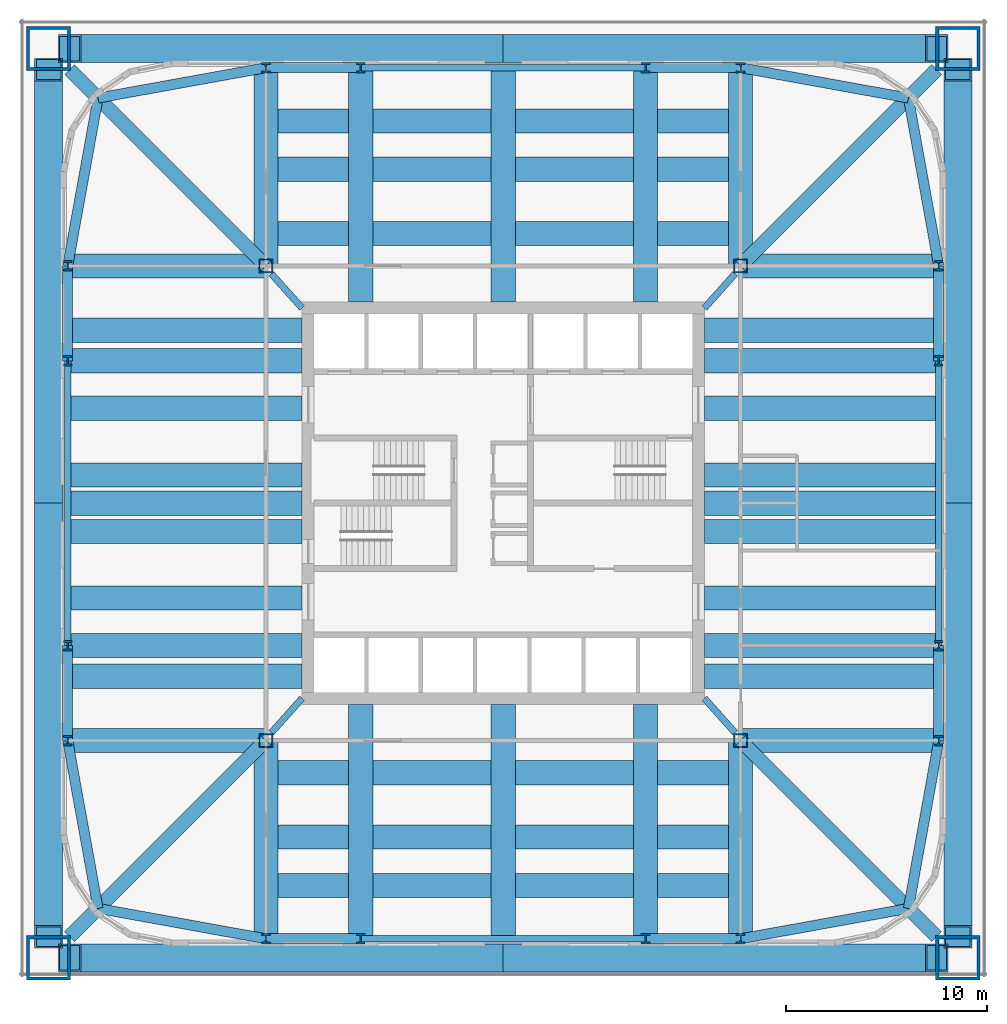
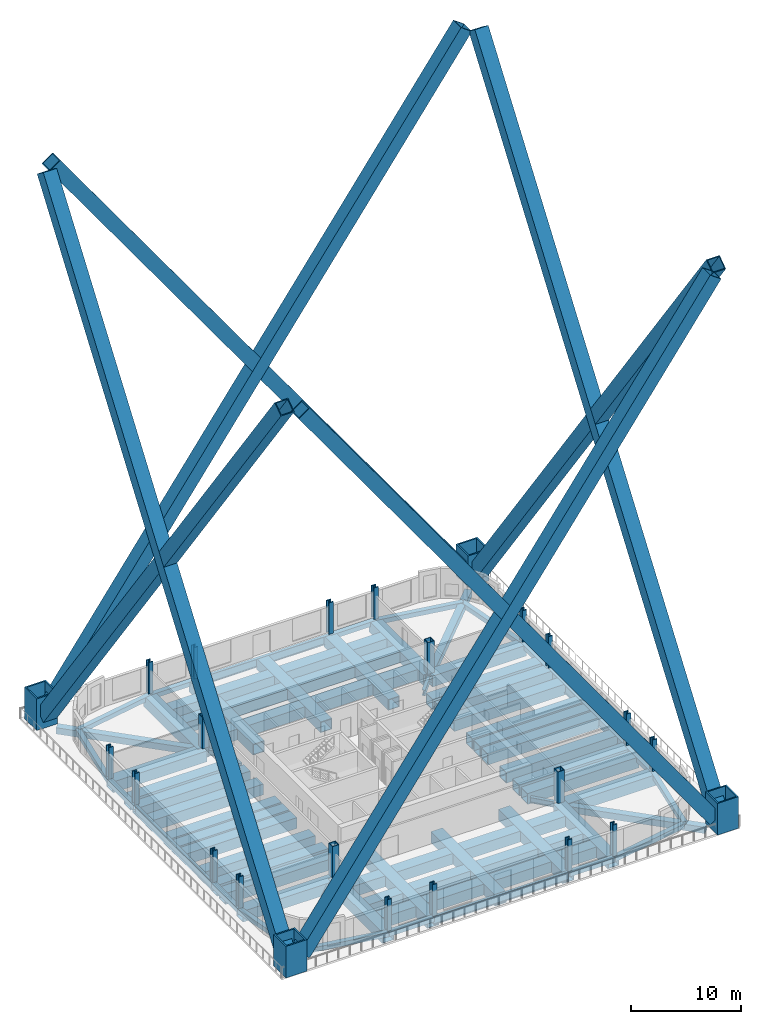
# One storey, part 1 of 7: 84 beams, 24 columns, 8 members.
"""IFC4 building model written with IfcOpenShell, lengths in metres."""

from ifc_helpers import new_model, si_unit, direction, frame, origin, origin_2d, place, context, subcontext, project, spatial, hollow_rectangle, i_section, extrude, material, material_profile, profile_set, type_object, element, save


model = new_model("IFC4")

# Units and contexts
model_context = context("Model", 3, precision=1e-05, world=origin(), true_north=direction((0.0, 1.0)))
body_context = subcontext(model_context, "Body", "Model", "MODEL_VIEW")
ifc_project = project(units=[si_unit("LENGTHUNIT", "METRE"), si_unit("AREAUNIT", "SQUARE_METRE"), si_unit("VOLUMEUNIT", "CUBIC_METRE"), si_unit("PLANEANGLEUNIT", "RADIAN"), si_unit("MASSUNIT", "GRAM", prefix="KILO")], contexts=[model_context])

# Site, building, storey
site_placement = place(None, origin())
site = spatial("IfcSite", under=ifc_project, at=site_placement, CompositionType="ELEMENT")
building_placement = place(site_placement, origin())
building = spatial("IfcBuilding", under=site, at=building_placement, Name="Turquesa Mirador Hotel Tower", CompositionType="ELEMENT")
storey_placement = place(building_placement, frame((0.0, 0.0, 25.0)))
storey = spatial("IfcBuildingStorey", under=building, at=storey_placement, Name="L05", CompositionType="ELEMENT", Elevation=25.0)

# Columns
ifc_material_1 = material(Name="Steel ASTM A572 Grade 50", Category="steel")
ifc_material_profile_1 = material_profile(ifc_material_1, hollow_rectangle(XDim=0.699951171875, YDim=0.699951171875, WallThickness=0.06005859375, at=origin_2d()), Name="BOX700X700X60")
ifc_profile_set_1 = profile_set([ifc_material_profile_1], Name="Steel ASTM A572 Grade 50")
column_type_1 = type_object("IfcColumnType", Name="COLUMN BOX700X700X60", PredefinedType="COLUMN", material=ifc_profile_set_1)
for number, where, z_axis, x_axis, name in (
    (1, (43.199951171875, 33.199951171875, 0.0), (0.0, 0.0, 1.0), (1.0, 0.0, 0.0), "COL-L05-K--11.80--11.80"),
    (2, (43.199951171875, 56.800048828125, 0.0), (0.0, 0.0, 1.0), (1.0, 0.0, 0.0), "COL-L05-K--11.80-+11.80"),
    (3, (66.800048828125, 33.199951171875, 0.0), (0.0, 0.0, 1.0), (1.0, 0.0, 0.0), "COL-L05-K-+11.80--11.80"),
    (4, (66.800048828125, 56.800048828125, 0.0), (0.0, 0.0, 1.0), (1.0, 0.0, 0.0), "COL-L05-K-+11.80-+11.80"),
):
    element("IfcColumn", number, at=place(storey_placement, frame(where, z_axis=z_axis, x_axis=x_axis)), inside=storey, type_object=column_type_1, Name=name, PredefinedType="COLUMN", context=body_context, shape_type="SweptSolid", body=[
        extrude(hollow_rectangle(XDim=0.699951171875, YDim=0.699951171875, WallThickness=0.06005859375, at=origin_2d()), origin(), (0.0, 0.0, 1.0), 3.5),
    ])
ifc_material_2 = material(Name="Steel ASTM A992 Grade 50", Category="steel")
ifc_material_profile_2 = material_profile(ifc_material_2, i_section(OverallWidth=0.44189453125, OverallDepth=0.53076171875, WebThickness=0.06591796875, FlangeThickness=0.105712890625, at=origin_2d()), Name="W14X605")
ifc_profile_set_2 = profile_set([ifc_material_profile_2], Name="Steel ASTM A992 Grade 50")
column_type_2 = type_object("IfcColumnType", Name="COLUMN W14X605", PredefinedType="COLUMN", material=ifc_profile_set_2)
for number, where, z_axis, x_axis, name in (
    (5, (33.35009765625, 33.199951171875, 0.0), (0.0, 0.0, 1.0), (1.0, 0.0, 0.0), "COL-L05-P--21.65--11.80"),
    (6, (33.35009765625, 37.919921875, 0.0), (0.0, 0.0, 1.0), (1.0, 0.0, 0.0), "COL-L05-P--21.65--7.08"),
    (7, (33.35009765625, 52.080078125, 0.0), (0.0, 0.0, 1.0), (1.0, 0.0, 0.0), "COL-L05-P--21.65-+7.08"),
    (8, (33.35009765625, 56.800048828125, 0.0), (0.0, 0.0, 1.0), (1.0, 0.0, 0.0), "COL-L05-P--21.65-+11.80"),
    (9, (43.199951171875, 23.35009765625, 0.0), (0.0, 0.0, 1.0), (1.0, 0.0, 0.0), "COL-L05-P--11.80--21.65"),
    (10, (43.199951171875, 66.64990234375, 0.0), (0.0, 0.0, 1.0), (1.0, 0.0, 0.0), "COL-L05-P--11.80-+21.65"),
    (11, (47.919921875, 23.35009765625, 0.0), (0.0, 0.0, 1.0), (1.0, 0.0, 0.0), "COL-L05-P--7.08--21.65"),
    (12, (47.919921875, 66.64990234375, 0.0), (0.0, 0.0, 1.0), (1.0, 0.0, 0.0), "COL-L05-P--7.08-+21.65"),
    (13, (62.080078125, 23.35009765625, 0.0), (0.0, 0.0, 1.0), (1.0, 0.0, 0.0), "COL-L05-P-+7.08--21.65"),
    (14, (62.080078125, 66.64990234375, 0.0), (0.0, 0.0, 1.0), (1.0, 0.0, 0.0), "COL-L05-P-+7.08-+21.65"),
    (15, (66.800048828125, 23.35009765625, 0.0), (0.0, 0.0, 1.0), (1.0, 0.0, 0.0), "COL-L05-P-+11.80--21.65"),
    (16, (66.800048828125, 66.64990234375, 0.0), (0.0, 0.0, 1.0), (1.0, 0.0, 0.0), "COL-L05-P-+11.80-+21.65"),
    (17, (76.64990234375, 33.199951171875, 0.0), (0.0, 0.0, 1.0), (1.0, 0.0, 0.0), "COL-L05-P-+21.65--11.80"),
    (18, (76.64990234375, 37.919921875, 0.0), (0.0, 0.0, 1.0), (1.0, 0.0, 0.0), "COL-L05-P-+21.65--7.08"),
    (19, (76.64990234375, 52.080078125, 0.0), (0.0, 0.0, 1.0), (1.0, 0.0, 0.0), "COL-L05-P-+21.65-+7.08"),
    (20, (76.64990234375, 56.800048828125, 0.0), (0.0, 0.0, 1.0), (1.0, 0.0, 0.0), "COL-L05-P-+21.65-+11.80"),
):
    element("IfcColumn", number, at=place(storey_placement, frame(where, z_axis=z_axis, x_axis=x_axis)), inside=storey, type_object=column_type_2, Name=name, PredefinedType="COLUMN", context=body_context, shape_type="SweptSolid", body=[
        extrude(i_section(OverallWidth=0.44189453125, OverallDepth=0.53076171875, WebThickness=0.06591796875, FlangeThickness=0.105712890625, at=origin_2d()), origin(), (0.0, 0.0, 1.0), 3.5),
    ])
ifc_material_3 = material(Name="Steel ASTM A514 Grade Q", Category="steel")
ifc_material_profile_3 = material_profile(ifc_material_3, hollow_rectangle(XDim=2.199951171875, YDim=2.199951171875, WallThickness=0.14990234375, at=origin_2d()), Name="BOX2200X2200X150")
ifc_profile_set_3 = profile_set([ifc_material_profile_3], Name="Steel ASTM A514 Grade Q")
column_type_3 = type_object("IfcColumnType", Name="MEGA COLUMN BOX2200X2200X150", PredefinedType="COLUMN", material=ifc_profile_set_3)
for number, where, z_axis, x_axis, name in (
    (21, (77.60009765625, 67.60009765625, 0.0), (0.0, 0.0, 1.0), (1.0, 0.0, 0.0), "Mega column M1"),
    (22, (32.39990234375, 67.60009765625, 0.0), (0.0, 0.0, 1.0), (1.0, 0.0, 0.0), "Mega column M2"),
    (23, (32.39990234375, 22.39990234375, 0.0), (0.0, 0.0, 1.0), (1.0, 0.0, 0.0), "Mega column M3"),
    (24, (77.60009765625, 22.39990234375, 0.0), (0.0, 0.0, 1.0), (1.0, 0.0, 0.0), "Mega column M4"),
):
    element("IfcColumn", number, at=place(storey_placement, frame(where, z_axis=z_axis, x_axis=x_axis)), inside=storey, type_object=column_type_3, Name=name, PredefinedType="COLUMN", context=body_context, shape_type="SweptSolid", body=[
        extrude(hollow_rectangle(XDim=2.199951171875, YDim=2.199951171875, WallThickness=0.14990234375, at=origin_2d()), origin(), (0.0, 0.0, 1.0), 3.5),
    ])

# Beams
ifc_material_4 = material(Name="Steel ASTM A572 Grade 50", Category="steel")
ifc_material_profile_4 = material_profile(ifc_material_4, hollow_rectangle(XDim=1.199951171875, YDim=1.199951171875, WallThickness=0.06005859375, at=origin_2d()), Name="BOX1200X1200X60")
ifc_profile_set_4 = profile_set([ifc_material_profile_4], Name="Steel ASTM A572 Grade 50")
beam_type_1 = type_object("IfcBeamType", Name="BEAM BOX1200X1200X60", PredefinedType="BEAM", material=ifc_profile_set_4)
for number, where, z_axis, x_axis, name in (
    (25, (47.919921875, 66.64990234375, -0.77001953125), (0.0, -1.0, 0.0), (1.0, 0.0, 0.0), "GD-L05-N--7.08"),
    (26, (62.080078125, 66.64990234375, -0.77001953125), (0.0, -1.0, 0.0), (1.0, 0.0, 0.0), "GD-L05-N-+7.08"),
    (27, (55.0, 66.64990234375, -0.77001953125), (0.0, -1.0, 0.0), (1.0, 0.0, 0.0), "GD-L05-N-+0.00"),
):
    element("IfcBeam", number, at=place(storey_placement, frame(where, z_axis=z_axis, x_axis=x_axis)), inside=storey, type_object=beam_type_1, Name=name, PredefinedType="BEAM", context=body_context, shape_type="SweptSolid", body=[
        extrude(hollow_rectangle(XDim=1.199951171875, YDim=1.199951171875, WallThickness=0.06005859375, at=origin_2d()), origin(), (0.0, 0.0, 1.0), 11.64990234375),
    ])
beam_1_placement = place(storey_placement, frame((43.800048828125, 58.39990234375, -0.77001953125), z_axis=(1.0, 0.0, 0.0), x_axis=(0.0, 1.0, 0.0)))
element("IfcBeam", 28, at=beam_1_placement, inside=storey, type_object=beam_type_1, Name="IB-L05-N-1-0", PredefinedType="BEAM", context=body_context, shape_type="SweptSolid", body=[
    extrude(hollow_rectangle(XDim=1.199951171875, YDim=1.199951171875, WallThickness=0.06005859375, at=origin_2d()), origin(), (0.0, 0.0, 1.0), 3.52001953125),
])
for number, where, z_axis, x_axis, name in (
    (29, (48.52001953125, 58.39990234375, -0.77001953125), (1.0, 0.0, 0.0), (0.0, 1.0, 0.0), "IB-L05-N-1-1"),
    (30, (55.60009765625, 58.39990234375, -0.77001953125), (1.0, 0.0, 0.0), (0.0, 1.0, 0.0), "IB-L05-N-1-2"),
):
    element("IfcBeam", number, at=place(storey_placement, frame(where, z_axis=z_axis, x_axis=x_axis)), inside=storey, type_object=beam_type_1, Name=name, PredefinedType="BEAM", context=body_context, shape_type="SweptSolid", body=[
        extrude(hollow_rectangle(XDim=1.199951171875, YDim=1.199951171875, WallThickness=0.06005859375, at=origin_2d()), origin(), (0.0, 0.0, 1.0), 5.8798828125),
    ])
for number, where, z_axis, x_axis, name in (
    (31, (62.679931640625, 58.39990234375, -0.77001953125), (1.0, 0.0, 0.0), (0.0, 1.0, 0.0), "IB-L05-N-1-3"),
    (32, (43.800048828125, 61.60009765625, -0.77001953125), (1.0, 0.0, 0.0), (0.0, 1.0, 0.0), "IB-L05-N-2-0"),
):
    element("IfcBeam", number, at=place(storey_placement, frame(where, z_axis=z_axis, x_axis=x_axis)), inside=storey, type_object=beam_type_1, Name=name, PredefinedType="BEAM", context=body_context, shape_type="SweptSolid", body=[
        extrude(hollow_rectangle(XDim=1.199951171875, YDim=1.199951171875, WallThickness=0.06005859375, at=origin_2d()), origin(), (0.0, 0.0, 1.0), 3.52001953125),
    ])
for number, where, z_axis, x_axis, name in (
    (33, (48.52001953125, 61.60009765625, -0.77001953125), (1.0, 0.0, 0.0), (0.0, 1.0, 0.0), "IB-L05-N-2-1"),
    (34, (55.60009765625, 61.60009765625, -0.77001953125), (1.0, 0.0, 0.0), (0.0, 1.0, 0.0), "IB-L05-N-2-2"),
):
    element("IfcBeam", number, at=place(storey_placement, frame(where, z_axis=z_axis, x_axis=x_axis)), inside=storey, type_object=beam_type_1, Name=name, PredefinedType="BEAM", context=body_context, shape_type="SweptSolid", body=[
        extrude(hollow_rectangle(XDim=1.199951171875, YDim=1.199951171875, WallThickness=0.06005859375, at=origin_2d()), origin(), (0.0, 0.0, 1.0), 5.8798828125),
    ])
for number, where, z_axis, x_axis, name in (
    (35, (62.679931640625, 61.60009765625, -0.77001953125), (1.0, 0.0, 0.0), (0.0, 1.0, 0.0), "IB-L05-N-2-3"),
    (36, (43.800048828125, 64.0, -0.77001953125), (1.0, 0.0, 0.0), (0.0, 1.0, 0.0), "IB-L05-N-3-0"),
):
    element("IfcBeam", number, at=place(storey_placement, frame(where, z_axis=z_axis, x_axis=x_axis)), inside=storey, type_object=beam_type_1, Name=name, PredefinedType="BEAM", context=body_context, shape_type="SweptSolid", body=[
        extrude(hollow_rectangle(XDim=1.199951171875, YDim=1.199951171875, WallThickness=0.06005859375, at=origin_2d()), origin(), (0.0, 0.0, 1.0), 3.52001953125),
    ])
for number, where, z_axis, x_axis, name in (
    (37, (48.52001953125, 64.0, -0.77001953125), (1.0, 0.0, 0.0), (0.0, 1.0, 0.0), "IB-L05-N-3-1"),
    (38, (55.60009765625, 64.0, -0.77001953125), (1.0, 0.0, 0.0), (0.0, 1.0, 0.0), "IB-L05-N-3-2"),
):
    element("IfcBeam", number, at=place(storey_placement, frame(where, z_axis=z_axis, x_axis=x_axis)), inside=storey, type_object=beam_type_1, Name=name, PredefinedType="BEAM", context=body_context, shape_type="SweptSolid", body=[
        extrude(hollow_rectangle(XDim=1.199951171875, YDim=1.199951171875, WallThickness=0.06005859375, at=origin_2d()), origin(), (0.0, 0.0, 1.0), 5.8798828125),
    ])
beam_2_placement = place(storey_placement, frame((62.679931640625, 64.0, -0.77001953125), z_axis=(1.0, 0.0, 0.0), x_axis=(0.0, 1.0, 0.0)))
element("IfcBeam", 39, at=beam_2_placement, inside=storey, type_object=beam_type_1, Name="IB-L05-N-3-3", PredefinedType="BEAM", context=body_context, shape_type="SweptSolid", body=[
    extrude(hollow_rectangle(XDim=1.199951171875, YDim=1.199951171875, WallThickness=0.06005859375, at=origin_2d()), origin(), (0.0, 0.0, 1.0), 3.52001953125),
])
for number, where, z_axis, x_axis, name in (
    (40, (43.199951171875, 66.64990234375, -0.77001953125), (0.0, -1.0, 0.0), (1.0, 0.0, 0.0), "GK-L05-N--11.80"),
    (41, (66.800048828125, 66.64990234375, -0.77001953125), (0.0, -1.0, 0.0), (1.0, 0.0, 0.0), "GK-L05-N-+11.80"),
):
    element("IfcBeam", number, at=place(storey_placement, frame(where, z_axis=z_axis, x_axis=x_axis)), inside=storey, type_object=beam_type_1, Name=name, PredefinedType="BEAM", context=body_context, shape_type="SweptSolid", body=[
        extrude(hollow_rectangle(XDim=1.199951171875, YDim=1.199951171875, WallThickness=0.06005859375, at=origin_2d()), origin(), (0.0, 0.0, 1.0), 9.849853515625),
    ])
for number, where, z_axis, x_axis, name in (
    (42, (47.919921875, 23.35009765625, -0.77001953125), (0.0, 1.0, 0.0), (-1.0, 0.0, 0.0), "GD-L05-S--7.08"),
    (43, (62.080078125, 23.35009765625, -0.77001953125), (0.0, 1.0, 0.0), (-1.0, 0.0, 0.0), "GD-L05-S-+7.08"),
    (44, (55.0, 23.35009765625, -0.77001953125), (0.0, 1.0, 0.0), (-1.0, 0.0, 0.0), "GD-L05-S-+0.00"),
):
    element("IfcBeam", number, at=place(storey_placement, frame(where, z_axis=z_axis, x_axis=x_axis)), inside=storey, type_object=beam_type_1, Name=name, PredefinedType="BEAM", context=body_context, shape_type="SweptSolid", body=[
        extrude(hollow_rectangle(XDim=1.199951171875, YDim=1.199951171875, WallThickness=0.06005859375, at=origin_2d()), origin(), (0.0, 0.0, 1.0), 11.64990234375),
    ])
beam_3_placement = place(storey_placement, frame((43.800048828125, 31.60009765625, -0.77001953125), z_axis=(1.0, 0.0, 0.0), x_axis=(0.0, 1.0, 0.0)))
element("IfcBeam", 45, at=beam_3_placement, inside=storey, type_object=beam_type_1, Name="IB-L05-S-1-0", PredefinedType="BEAM", context=body_context, shape_type="SweptSolid", body=[
    extrude(hollow_rectangle(XDim=1.199951171875, YDim=1.199951171875, WallThickness=0.06005859375, at=origin_2d()), origin(), (0.0, 0.0, 1.0), 3.52001953125),
])
for number, where, z_axis, x_axis, name in (
    (46, (48.52001953125, 31.60009765625, -0.77001953125), (1.0, 0.0, 0.0), (0.0, 1.0, 0.0), "IB-L05-S-1-1"),
    (47, (55.60009765625, 31.60009765625, -0.77001953125), (1.0, 0.0, 0.0), (0.0, 1.0, 0.0), "IB-L05-S-1-2"),
):
    element("IfcBeam", number, at=place(storey_placement, frame(where, z_axis=z_axis, x_axis=x_axis)), inside=storey, type_object=beam_type_1, Name=name, PredefinedType="BEAM", context=body_context, shape_type="SweptSolid", body=[
        extrude(hollow_rectangle(XDim=1.199951171875, YDim=1.199951171875, WallThickness=0.06005859375, at=origin_2d()), origin(), (0.0, 0.0, 1.0), 5.8798828125),
    ])
for number, where, z_axis, x_axis, name in (
    (48, (62.679931640625, 31.60009765625, -0.77001953125), (1.0, 0.0, 0.0), (0.0, 1.0, 0.0), "IB-L05-S-1-3"),
    (49, (43.800048828125, 28.39990234375, -0.77001953125), (1.0, 0.0, 0.0), (0.0, 1.0, 0.0), "IB-L05-S-2-0"),
):
    element("IfcBeam", number, at=place(storey_placement, frame(where, z_axis=z_axis, x_axis=x_axis)), inside=storey, type_object=beam_type_1, Name=name, PredefinedType="BEAM", context=body_context, shape_type="SweptSolid", body=[
        extrude(hollow_rectangle(XDim=1.199951171875, YDim=1.199951171875, WallThickness=0.06005859375, at=origin_2d()), origin(), (0.0, 0.0, 1.0), 3.52001953125),
    ])
for number, where, z_axis, x_axis, name in (
    (50, (48.52001953125, 28.39990234375, -0.77001953125), (1.0, 0.0, 0.0), (0.0, 1.0, 0.0), "IB-L05-S-2-1"),
    (51, (55.60009765625, 28.39990234375, -0.77001953125), (1.0, 0.0, 0.0), (0.0, 1.0, 0.0), "IB-L05-S-2-2"),
):
    element("IfcBeam", number, at=place(storey_placement, frame(where, z_axis=z_axis, x_axis=x_axis)), inside=storey, type_object=beam_type_1, Name=name, PredefinedType="BEAM", context=body_context, shape_type="SweptSolid", body=[
        extrude(hollow_rectangle(XDim=1.199951171875, YDim=1.199951171875, WallThickness=0.06005859375, at=origin_2d()), origin(), (0.0, 0.0, 1.0), 5.8798828125),
    ])
for number, where, z_axis, x_axis, name in (
    (52, (62.679931640625, 28.39990234375, -0.77001953125), (1.0, 0.0, 0.0), (0.0, 1.0, 0.0), "IB-L05-S-2-3"),
    (53, (43.800048828125, 26.0, -0.77001953125), (1.0, 0.0, 0.0), (0.0, 1.0, 0.0), "IB-L05-S-3-0"),
):
    element("IfcBeam", number, at=place(storey_placement, frame(where, z_axis=z_axis, x_axis=x_axis)), inside=storey, type_object=beam_type_1, Name=name, PredefinedType="BEAM", context=body_context, shape_type="SweptSolid", body=[
        extrude(hollow_rectangle(XDim=1.199951171875, YDim=1.199951171875, WallThickness=0.06005859375, at=origin_2d()), origin(), (0.0, 0.0, 1.0), 3.52001953125),
    ])
for number, where, z_axis, x_axis, name in (
    (54, (48.52001953125, 26.0, -0.77001953125), (1.0, 0.0, 0.0), (0.0, 1.0, 0.0), "IB-L05-S-3-1"),
    (55, (55.60009765625, 26.0, -0.77001953125), (1.0, 0.0, 0.0), (0.0, 1.0, 0.0), "IB-L05-S-3-2"),
):
    element("IfcBeam", number, at=place(storey_placement, frame(where, z_axis=z_axis, x_axis=x_axis)), inside=storey, type_object=beam_type_1, Name=name, PredefinedType="BEAM", context=body_context, shape_type="SweptSolid", body=[
        extrude(hollow_rectangle(XDim=1.199951171875, YDim=1.199951171875, WallThickness=0.06005859375, at=origin_2d()), origin(), (0.0, 0.0, 1.0), 5.8798828125),
    ])
beam_4_placement = place(storey_placement, frame((62.679931640625, 26.0, -0.77001953125), z_axis=(1.0, 0.0, 0.0), x_axis=(0.0, 1.0, 0.0)))
element("IfcBeam", 56, at=beam_4_placement, inside=storey, type_object=beam_type_1, Name="IB-L05-S-3-3", PredefinedType="BEAM", context=body_context, shape_type="SweptSolid", body=[
    extrude(hollow_rectangle(XDim=1.199951171875, YDim=1.199951171875, WallThickness=0.06005859375, at=origin_2d()), origin(), (0.0, 0.0, 1.0), 3.52001953125),
])
for number, where, z_axis, x_axis, name in (
    (57, (43.199951171875, 23.35009765625, -0.77001953125), (0.0, 1.0, 0.0), (-1.0, 0.0, 0.0), "GK-L05-S--11.80"),
    (58, (66.800048828125, 23.35009765625, -0.77001953125), (0.0, 1.0, 0.0), (-1.0, 0.0, 0.0), "GK-L05-S-+11.80"),
):
    element("IfcBeam", number, at=place(storey_placement, frame(where, z_axis=z_axis, x_axis=x_axis)), inside=storey, type_object=beam_type_1, Name=name, PredefinedType="BEAM", context=body_context, shape_type="SweptSolid", body=[
        extrude(hollow_rectangle(XDim=1.199951171875, YDim=1.199951171875, WallThickness=0.06005859375, at=origin_2d()), origin(), (0.0, 0.0, 1.0), 9.849853515625),
    ])
for number, where, z_axis, x_axis, name in (
    (59, (76.64990234375, 36.39990234375, -0.77001953125), (-1.0, 0.0, 0.0), (0.0, -1.0, 0.0), "BM-L05-E--8.60"),
    (60, (76.64990234375, 40.280029296875, -0.77001953125), (-1.0, 0.0, 0.0), (0.0, -1.0, 0.0), "BM-L05-E--4.72"),
    (61, (76.64990234375, 43.60009765625, -0.77001953125), (-1.0, 0.0, 0.0), (0.0, -1.0, 0.0), "BM-L05-E--1.40"),
    (62, (76.64990234375, 45.0, -0.77001953125), (-1.0, 0.0, 0.0), (0.0, -1.0, 0.0), "BM-L05-E-+0.00"),
    (63, (76.64990234375, 46.39990234375, -0.77001953125), (-1.0, 0.0, 0.0), (0.0, -1.0, 0.0), "BM-L05-E-+1.40"),
    (64, (76.64990234375, 49.719970703125, -0.77001953125), (-1.0, 0.0, 0.0), (0.0, -1.0, 0.0), "BM-L05-E-+4.72"),
    (65, (76.64990234375, 53.60009765625, -0.77001953125), (-1.0, 0.0, 0.0), (0.0, -1.0, 0.0), "BM-L05-E-+8.60"),
    (66, (76.64990234375, 37.919921875, -0.77001953125), (-1.0, 0.0, 0.0), (0.0, -1.0, 0.0), "GD-L05-E--7.08"),
    (67, (76.64990234375, 52.080078125, -0.77001953125), (-1.0, 0.0, 0.0), (0.0, -1.0, 0.0), "GD-L05-E-+7.08"),
):
    element("IfcBeam", number, at=place(storey_placement, frame(where, z_axis=z_axis, x_axis=x_axis)), inside=storey, type_object=beam_type_1, Name=name, PredefinedType="BEAM", context=body_context, shape_type="SweptSolid", body=[
        extrude(hollow_rectangle(XDim=1.199951171875, YDim=1.199951171875, WallThickness=0.06005859375, at=origin_2d()), origin(), (0.0, 0.0, 1.0), 11.64990234375),
    ])
for number, where, z_axis, x_axis, name in (
    (68, (76.64990234375, 33.199951171875, -0.77001953125), (-1.0, 0.0, 0.0), (0.0, -1.0, 0.0), "GK-L05-E--11.80"),
    (69, (76.64990234375, 56.800048828125, -0.77001953125), (-1.0, 0.0, 0.0), (0.0, -1.0, 0.0), "GK-L05-E-+11.80"),
):
    element("IfcBeam", number, at=place(storey_placement, frame(where, z_axis=z_axis, x_axis=x_axis)), inside=storey, type_object=beam_type_1, Name=name, PredefinedType="BEAM", context=body_context, shape_type="SweptSolid", body=[
        extrude(hollow_rectangle(XDim=1.199951171875, YDim=1.199951171875, WallThickness=0.06005859375, at=origin_2d()), origin(), (0.0, 0.0, 1.0), 9.849853515625),
    ])
for number, where, z_axis, x_axis, name in (
    (70, (33.35009765625, 36.39990234375, -0.77001953125), (1.0, 0.0, 0.0), (0.0, 1.0, 0.0), "BM-L05-W--8.60"),
    (71, (33.35009765625, 40.280029296875, -0.77001953125), (1.0, 0.0, 0.0), (0.0, 1.0, 0.0), "BM-L05-W--4.72"),
    (72, (33.35009765625, 43.60009765625, -0.77001953125), (1.0, 0.0, 0.0), (0.0, 1.0, 0.0), "BM-L05-W--1.40"),
    (73, (33.35009765625, 45.0, -0.77001953125), (1.0, 0.0, 0.0), (0.0, 1.0, 0.0), "BM-L05-W-+0.00"),
    (74, (33.35009765625, 46.39990234375, -0.77001953125), (1.0, 0.0, 0.0), (0.0, 1.0, 0.0), "BM-L05-W-+1.40"),
    (75, (33.35009765625, 49.719970703125, -0.77001953125), (1.0, 0.0, 0.0), (0.0, 1.0, 0.0), "BM-L05-W-+4.72"),
    (76, (33.35009765625, 53.60009765625, -0.77001953125), (1.0, 0.0, 0.0), (0.0, 1.0, 0.0), "BM-L05-W-+8.60"),
    (77, (33.35009765625, 37.919921875, -0.77001953125), (1.0, 0.0, 0.0), (0.0, 1.0, 0.0), "GD-L05-W--7.08"),
    (78, (33.35009765625, 52.080078125, -0.77001953125), (1.0, 0.0, 0.0), (0.0, 1.0, 0.0), "GD-L05-W-+7.08"),
):
    element("IfcBeam", number, at=place(storey_placement, frame(where, z_axis=z_axis, x_axis=x_axis)), inside=storey, type_object=beam_type_1, Name=name, PredefinedType="BEAM", context=body_context, shape_type="SweptSolid", body=[
        extrude(hollow_rectangle(XDim=1.199951171875, YDim=1.199951171875, WallThickness=0.06005859375, at=origin_2d()), origin(), (0.0, 0.0, 1.0), 11.64990234375),
    ])
for number, where, z_axis, x_axis, name in (
    (79, (33.35009765625, 33.199951171875, -0.77001953125), (1.0, 0.0, 0.0), (0.0, 1.0, 0.0), "GK-L05-W--11.80"),
    (80, (33.35009765625, 56.800048828125, -0.77001953125), (1.0, 0.0, 0.0), (0.0, 1.0, 0.0), "GK-L05-W-+11.80"),
):
    element("IfcBeam", number, at=place(storey_placement, frame(where, z_axis=z_axis, x_axis=x_axis)), inside=storey, type_object=beam_type_1, Name=name, PredefinedType="BEAM", context=body_context, shape_type="SweptSolid", body=[
        extrude(hollow_rectangle(XDim=1.199951171875, YDim=1.199951171875, WallThickness=0.06005859375, at=origin_2d()), origin(), (0.0, 0.0, 1.0), 9.849853515625),
    ])
ifc_material_5 = material(Name="Steel ASTM A572 Grade 50", Category="steel")
ifc_material_profile_5 = material_profile(ifc_material_5, hollow_rectangle(XDim=0.5, YDim=0.5, WallThickness=0.01611328125, at=origin_2d()), Name="BOX500X500X16")
ifc_profile_set_5 = profile_set([ifc_material_profile_5], Name="Steel ASTM A572 Grade 50")
beam_type_2 = type_object("IfcBeamType", Name="BEAM BOX500X500X16", PredefinedType="BEAM", material=ifc_profile_set_5)
for number, where, z_axis, x_axis, name in (
    (81, (43.199951171875, 66.64990234375, -0.419921875), (1.0, 0.0, 0.0), (0.0, 1.0, 0.0), "EB-L05-N-L"),
    (82, (62.080078125, 66.64990234375, -0.419921875), (1.0, 0.0, 0.0), (0.0, 1.0, 0.0), "EB-L05-N-R"),
    (83, (43.199951171875, 23.35009765625, -0.419921875), (1.0, 0.0, 0.0), (0.0, 1.0, 0.0), "EB-L05-S-L"),
    (84, (62.080078125, 23.35009765625, -0.419921875), (1.0, 0.0, 0.0), (0.0, 1.0, 0.0), "EB-L05-S-R"),
    (85, (76.64990234375, 33.199951171875, -0.419921875), (0.0, 1.0, 0.0), (-1.0, 0.0, 0.0), "EB-L05-E-L"),
    (86, (76.64990234375, 52.080078125, -0.419921875), (0.0, 1.0, 0.0), (-1.0, 0.0, 0.0), "EB-L05-E-R"),
    (87, (33.35009765625, 33.199951171875, -0.419921875), (0.0, 1.0, 0.0), (-1.0, 0.0, 0.0), "EB-L05-W-L"),
    (88, (33.35009765625, 52.080078125, -0.419921875), (0.0, 1.0, 0.0), (-1.0, 0.0, 0.0), "EB-L05-W-R"),
):
    element("IfcBeam", number, at=place(storey_placement, frame(where, z_axis=z_axis, x_axis=x_axis)), inside=storey, type_object=beam_type_2, Name=name, PredefinedType="BEAM", context=body_context, shape_type="SweptSolid", body=[
        extrude(hollow_rectangle(XDim=0.5, YDim=0.5, WallThickness=0.01611328125, at=origin_2d()), origin(), (0.0, 0.0, 1.0), 4.719970703125),
    ])
for number, where, z_axis, x_axis, name in (
    (89, (76.64990234375, 56.800048828125, -0.419921875), (-0.177932387818, 0.984042715214, 0.0), (-0.984042715214, -0.177932387818, 0.0), "KE-L05-1-0"),
    (90, (75.1416015625, 65.1416015625, -0.419921875), (-0.984042715214, 0.177932387818, 0.0), (-0.177932387818, -0.984042715214, 0.0), "KE-L05-1-1"),
    (91, (33.35009765625, 56.800048828125, -0.419921875), (0.177932387818, 0.984042715214, 0.0), (-0.984042715214, 0.177932387818, 0.0), "KE-L05-2-0"),
    (92, (34.8583984375, 65.1416015625, -0.419921875), (0.984042715214, 0.177932387818, 0.0), (-0.177932387818, 0.984042715214, 0.0), "KE-L05-2-1"),
    (93, (33.35009765625, 33.199951171875, -0.419921875), (0.177932387818, -0.984042715214, 0.0), (0.984042715214, 0.177932387818, 0.0), "KE-L05-3-0"),
    (94, (34.8583984375, 24.8583984375, -0.419921875), (0.984042715214, -0.177932387818, 0.0), (0.177932387818, 0.984042715214, 0.0), "KE-L05-3-1"),
    (95, (76.64990234375, 33.199951171875, -0.419921875), (-0.177932387818, -0.984042715214, 0.0), (0.984042715214, -0.177932387818, 0.0), "KE-L05-4-0"),
    (96, (75.1416015625, 24.8583984375, -0.419921875), (-0.984042715214, -0.177932387818, 0.0), (0.177932387818, -0.984042715214, 0.0), "KE-L05-4-1"),
):
    element("IfcBeam", number, at=place(storey_placement, frame(where, z_axis=z_axis, x_axis=x_axis)), inside=storey, type_object=beam_type_2, Name=name, PredefinedType="BEAM", context=body_context, shape_type="SweptSolid", body=[
        extrude(hollow_rectangle(XDim=0.5, YDim=0.5, WallThickness=0.01611328125, at=origin_2d()), origin(), (0.0, 0.0, 1.0), 8.476806640625),
    ])
ifc_material_6 = material(Name="Steel ASTM A572 Grade 50", Category="steel")
ifc_material_profile_6 = material_profile(ifc_material_6, hollow_rectangle(XDim=0.699951171875, YDim=0.699951171875, WallThickness=0.06005859375, at=origin_2d()), Name="BOX700X700X60")
ifc_profile_set_6 = profile_set([ifc_material_profile_6], Name="Steel ASTM A572 Grade 50")
beam_type_3 = type_object("IfcBeamType", Name="BEAM BOX700X700X60", PredefinedType="BEAM", material=ifc_profile_set_6)
for number, where, z_axis, x_axis, name in (
    (97, (66.800048828125, 56.800048828125, -0.570068359375), (0.707106781187, 0.707106781187, 0.0), (-0.707106781187, 0.707106781187, 0.0), "KD-L05-1"),
    (98, (43.199951171875, 56.800048828125, -0.570068359375), (-0.707106781187, 0.707106781187, 0.0), (-0.707106781187, -0.707106781187, 0.0), "KD-L05-2"),
    (99, (43.199951171875, 33.199951171875, -0.570068359375), (-0.707106781187, -0.707106781187, 0.0), (0.707106781187, -0.707106781187, 0.0), "KD-L05-3"),
    (100, (66.800048828125, 33.199951171875, -0.570068359375), (0.707106781187, -0.707106781187, 0.0), (0.707106781187, 0.707106781187, 0.0), "KD-L05-4"),
):
    element("IfcBeam", number, at=place(storey_placement, frame(where, z_axis=z_axis, x_axis=x_axis)), inside=storey, type_object=beam_type_3, Name=name, PredefinedType="BEAM", context=body_context, shape_type="SweptSolid", body=[
        extrude(hollow_rectangle(XDim=0.699951171875, YDim=0.699951171875, WallThickness=0.06005859375, at=origin_2d()), origin(), (0.0, 0.0, 1.0), 13.78857421875),
    ])
ifc_material_7 = material(Name="Steel ASTM A992 Grade 50", Category="steel")
ifc_material_profile_7 = material_profile(ifc_material_7, i_section(OverallWidth=0.3251953125, OverallDepth=0.612060546875, WebThickness=0.0126953125, FlangeThickness=0.01904296875, at=origin_2d()), Name="W24X104")
ifc_profile_set_7 = profile_set([ifc_material_profile_7], Name="Steel ASTM A992 Grade 50")
beam_type_4 = type_object("IfcBeamType", Name="BEAM W24X104", PredefinedType="BEAM", material=ifc_profile_set_7)
for number, where, z_axis, x_axis, name in (
    (101, (66.529541015625, 56.40966796875, -0.47607421875), (-0.666745084392, -0.745285846129, 0.0), (0.745285846129, -0.666745084392, 0.0), "KT-L05-1"),
    (102, (43.470458984375, 56.40966796875, -0.47607421875), (0.666745084392, -0.745285846129, 0.0), (0.745285846129, 0.666745084392, 0.0), "KT-L05-2"),
    (103, (43.470458984375, 33.59033203125, -0.47607421875), (0.666745084392, 0.745285846129, 0.0), (-0.745285846129, 0.666745084392, 0.0), "KT-L05-3"),
    (104, (66.529541015625, 33.59033203125, -0.47607421875), (-0.666745084392, 0.745285846129, 0.0), (-0.745285846129, -0.666745084392, 0.0), "KT-L05-4"),
):
    element("IfcBeam", number, at=place(storey_placement, frame(where, z_axis=z_axis, x_axis=x_axis)), inside=storey, type_object=beam_type_4, Name=name, PredefinedType="BEAM", context=body_context, shape_type="SweptSolid", body=[
        extrude(i_section(OverallWidth=0.3251953125, OverallDepth=0.612060546875, WebThickness=0.0126953125, FlangeThickness=0.01904296875, at=origin_2d()), origin(), (0.0, 0.0, 1.0), 2.2939453125),
    ])
ifc_material_8 = material(Name="Steel ASTM A992 Grade 50", Category="steel")
ifc_material_profile_8 = material_profile(ifc_material_8, i_section(OverallWidth=0.3046875, OverallDepth=0.911865234375, WebThickness=0.015869140625, FlangeThickness=0.02392578125, at=origin_2d()), Name="W36X150")
ifc_profile_set_8 = profile_set([ifc_material_profile_8], Name="Steel ASTM A992 Grade 50")
beam_type_5 = type_object("IfcBeamType", Name="BEAM W36X150", PredefinedType="BEAM", material=ifc_profile_set_8)
for number, where, z_axis, x_axis, name in (
    (105, (47.919921875, 66.64990234375, -0.6259765625), (1.0, 0.0, 0.0), (0.0, 1.0, 0.0), "EB-L05-N-C"),
    (106, (47.919921875, 23.35009765625, -0.6259765625), (1.0, 0.0, 0.0), (0.0, 1.0, 0.0), "EB-L05-S-C"),
    (107, (76.64990234375, 37.919921875, -0.6259765625), (0.0, 1.0, 0.0), (-1.0, 0.0, 0.0), "EB-L05-E-C"),
    (108, (33.35009765625, 37.919921875, -0.6259765625), (0.0, 1.0, 0.0), (-1.0, 0.0, 0.0), "EB-L05-W-C"),
):
    element("IfcBeam", number, at=place(storey_placement, frame(where, z_axis=z_axis, x_axis=x_axis)), inside=storey, type_object=beam_type_5, Name=name, PredefinedType="BEAM", context=body_context, shape_type="SweptSolid", body=[
        extrude(i_section(OverallWidth=0.3046875, OverallDepth=0.911865234375, WebThickness=0.015869140625, FlangeThickness=0.02392578125, at=origin_2d()), origin(), (0.0, 0.0, 1.0), 14.16015625),
    ])

# Members
ifc_material_9 = material(Name="Steel ASTM A572 Grade 50", Category="steel")
ifc_material_profile_9 = material_profile(ifc_material_9, hollow_rectangle(XDim=1.39990234375, YDim=1.39990234375, WallThickness=0.090087890625, at=origin_2d()), Name="BOX1400X1400X90")
ifc_profile_set_9 = profile_set([ifc_material_profile_9], Name="Steel ASTM A572 Grade 50")
member_type = type_object("IfcMemberType", Name="MEGA BRACE BOX1400X1400X90", PredefinedType="BRACE", material=ifc_profile_set_9)
for number, where, z_axis, x_axis, name in (
    (109, (33.449951171875, 67.60009765625, 1.46337890625), (0.582944273063, 0.0, 0.812512138065), (0.0, 1.0, 0.0), "Mega brace Z1 N 1"),
    (110, (76.550048828125, 67.60009765625, 1.46337890625), (-0.582944273063, 0.0, 0.812512138065), (0.0, -1.0, 0.0), "Mega brace Z1 N 2"),
    (111, (33.449951171875, 22.39990234375, 1.46337890625), (0.582944273063, 0.0, 0.812512138065), (0.0, 1.0, 0.0), "Mega brace Z1 S 1"),
    (112, (76.550048828125, 22.39990234375, 1.46337890625), (-0.582944273063, 0.0, 0.812512138065), (0.0, -1.0, 0.0), "Mega brace Z1 S 2"),
    (113, (77.60009765625, 23.449951171875, 1.46337890625), (0.0, 0.582944273063, 0.812512138065), (-1.0, 0.0, 0.0), "Mega brace Z1 E 1"),
    (114, (77.60009765625, 66.550048828125, 1.46337890625), (0.0, -0.582944273063, 0.812512138065), (1.0, 0.0, 0.0), "Mega brace Z1 E 2"),
    (115, (32.39990234375, 23.449951171875, 1.46337890625), (0.0, 0.582944273063, 0.812512138065), (-1.0, 0.0, 0.0), "Mega brace Z1 W 1"),
    (116, (32.39990234375, 66.550048828125, 1.46337890625), (0.0, -0.582944273063, 0.812512138065), (1.0, 0.0, 0.0), "Mega brace Z1 W 2"),
):
    element("IfcMember", number, at=place(storey_placement, frame(where, z_axis=z_axis, x_axis=x_axis)), inside=storey, type_object=member_type, Name=name, PredefinedType="BRACE", context=body_context, shape_type="SweptSolid", body=[
        extrude(hollow_rectangle(XDim=1.39990234375, YDim=1.39990234375, WallThickness=0.090087890625, at=origin_2d()), origin(), (0.0, 0.0, 1.0), 73.935302734375),
    ])

save(model, "model.ifc")
